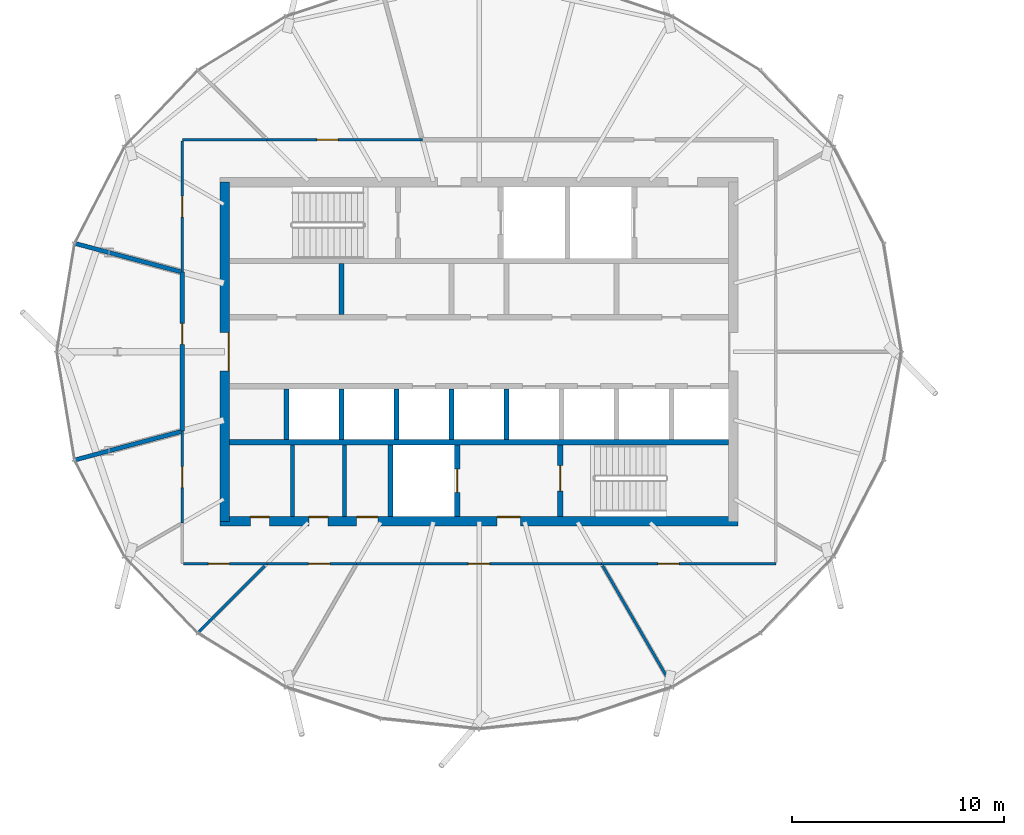
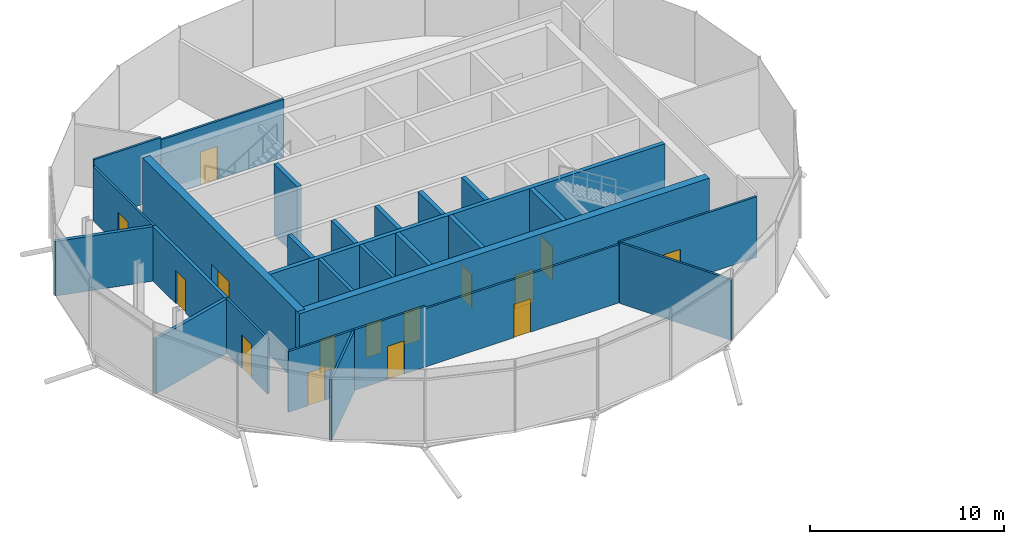
# One storey, part 16 of 31: 27 walls, 15 doors, 15 openings.
"""IFC4 building model written with IfcOpenShell, lengths in metres."""

import ifcopenshell
import ifcopenshell.guid

model = None  # the IFC model being written
_history = None  # IfcOwnerHistory: only IFC2X3 demands one
_inside = {}  # id of a spatial element -> (the spatial element, [elements in it])
_under = {}  # id of a project, library or spatial element -> (it, [spatial elements below it])
_declared = {}  # id of a project -> (the project, [libraries it declares])
_typed = {}  # id of a type object -> (the type object, [elements of that type])
_made_of = {}  # id of a material, layer set ... -> (it, [elements and type objects made of it])


def new_model(schema):
    """Start an empty IFC model of exactly this schema.

    Asked for "IFC4X3", IfcOpenShell would pick the latest addendum, in which some entities
    have other attributes; the version numbers below select the first issue.
    IFC2X3 requires an IfcOwnerHistory on every rooted entity: one is made here for all.
    """
    global model, _history
    if schema == "IFC4X3":
        model = ifcopenshell.file(schema_version=(4, 3, 0, 0))
    else:
        model = ifcopenshell.file(schema=schema)
    _inside.clear()
    _under.clear()
    _declared.clear()
    _typed.clear()
    _made_of.clear()
    _history = None
    if model.schema == "IFC2X3":
        org = make("IfcOrganization", Name="unknown")
        user = make(
            "IfcPersonAndOrganization",
            ThePerson=make("IfcPerson", FamilyName="unknown"),
            TheOrganization=org,
        )
        app = make(
            "IfcApplication",
            ApplicationDeveloper=org,
            Version="unknown",
            ApplicationFullName="unknown",
            ApplicationIdentifier="unknown",
        )
        _history = make(
            "IfcOwnerHistory",
            OwningUser=user,
            OwningApplication=app,
            ChangeAction="ADDED",
            CreationDate=0,
        )
    return model


def make(cls, **values):
    """One entity of the class cls with the attributes given. An attribute that is None is left unset."""
    return model.create_entity(
        cls, **{name: value for name, value in values.items() if value is not None}
    )


def rooted(cls, **values):
    """An entity with a GlobalId (a new one), such as an element, a storey or a relation."""
    return make(cls, GlobalId=ifcopenshell.guid.new(), OwnerHistory=_history, **values)


def si_unit(unit_type, name, prefix=None):
    """IfcSIUnit, for example si_unit("LENGTHUNIT", "METRE", prefix="MILLI")."""
    return make("IfcSIUnit", UnitType=unit_type, Prefix=prefix, Name=name)


def assignment(units):
    """IfcUnitAssignment: the units of a project."""
    return None if units is None else make("IfcUnitAssignment", Units=units)


def point(xyz):
    """IfcCartesianPoint."""
    return None if xyz is None else make("IfcCartesianPoint", Coordinates=xyz)


def direction(xyz):
    """IfcDirection."""
    return None if xyz is None else make("IfcDirection", DirectionRatios=xyz)


def frame(location, z_axis=None, x_axis=None):
    """IfcAxis2Placement3D, a coordinate frame: its origin and axes. An axis left out is left unset."""
    return make(
        "IfcAxis2Placement3D",
        Location=point(location),
        Axis=direction(z_axis),
        RefDirection=direction(x_axis),
    )


def frame_2d(location, x_axis=None):
    """IfcAxis2Placement2D, a coordinate frame in the plane: its origin and x axis."""
    return make(
        "IfcAxis2Placement2D", Location=point(location), RefDirection=direction(x_axis)
    )


def origin():
    """The frame at (0, 0, 0) with its axes left unset."""
    return frame((0.0, 0.0, 0.0))


def place(relative_to, where):
    """IfcLocalPlacement: puts the frame where relative to a parent placement (None: the world)."""
    return make(
        "IfcLocalPlacement", PlacementRelTo=relative_to, RelativePlacement=where
    )


def context(
    kind, dimensions, precision=None, world=None, true_north=None, identifier=None
):
    """IfcGeometricRepresentationContext, for example the 3D "Model" context."""
    return make(
        "IfcGeometricRepresentationContext",
        ContextIdentifier=identifier,
        ContextType=kind,
        CoordinateSpaceDimension=dimensions,
        Precision=precision,
        WorldCoordinateSystem=world,
        TrueNorth=true_north,
    )


def subcontext(parent, identifier, kind, view, scale=None):
    """IfcGeometricRepresentationSubContext, for example "Body" below "Model"."""
    return make(
        "IfcGeometricRepresentationSubContext",
        ContextIdentifier=identifier,
        ContextType=kind,
        ParentContext=parent,
        TargetScale=scale,
        TargetView=view,
    )


def project(units=None, contexts=None):
    """IfcProject with its units and contexts."""
    return rooted(
        "IfcProject",
        Name="project",
        RepresentationContexts=contexts,
        UnitsInContext=assignment(units),
    )


def spatial(cls, under=None, at=None, **own):
    """A site, building, storey or space (cls), placed at a placement, below another one or the project."""
    s = rooted(cls, ObjectPlacement=at, **own)
    if under is not None:
        _under.setdefault(under.id(), (under, []))[1].append(s)
    return s


def profile(cls, at=None, kind="AREA", **sizes):
    """A parametric profile (cls). Its sizes go by their IFC names, for example OverallWidth=200.0."""
    return make(cls, ProfileType=kind, Position=at, **sizes)


def rectangle(**sizes):
    """IfcRectangleProfileDef."""
    return profile("IfcRectangleProfileDef", **sizes)


def extrude(swept, where, along, depth):
    """IfcExtrudedAreaSolid: the profile swept, set in the frame where, extruded along a direction by depth."""
    return make(
        "IfcExtrudedAreaSolid",
        SweptArea=swept,
        Position=where,
        ExtrudedDirection=direction(along),
        Depth=depth,
    )


def shape(context_of_items, identifier, shape_type, items):
    """IfcShapeRepresentation: the items that make up one representation, for example the "Body"."""
    return make(
        "IfcShapeRepresentation",
        ContextOfItems=context_of_items,
        RepresentationIdentifier=identifier,
        RepresentationType=shape_type,
        Items=items,
    )


def material(Name=None, Category=None):
    """IfcMaterial."""
    return make("IfcMaterial", Name=Name, Category=Category)


def layer(
    of_material, thickness, ventilated=None, Name=None, Category=None, Priority=None
):
    """IfcMaterialLayer: one layer of a wall or slab, of a material (None: an air gap)."""
    return make(
        "IfcMaterialLayer",
        Material=of_material,
        LayerThickness=thickness,
        IsVentilated=ventilated,
        Name=Name,
        Category=Category,
        Priority=Priority,
    )


def layer_set(layers, Name=None):
    """IfcMaterialLayerSet."""
    return make("IfcMaterialLayerSet", MaterialLayers=layers, LayerSetName=Name)


def made_of(thing, what):
    """Note that an element or type object is made of a material, layer set ...; save() writes the relation."""
    if what is not None:
        _made_of.setdefault(what.id(), (what, []))[1].append(thing)
    return thing


def type_object(cls, material=None, **own):
    """A type object (cls), such as IfcWallType, which elements share."""
    return made_of(rooted(cls, **own), material)


def element(
    cls,
    number,
    at=None,
    inside=None,
    cuts=None,
    type_object=None,
    material=None,
    context=None,
    identifier="Body",
    shape_type=None,
    held_by="IfcProductDefinitionShape",
    body=None,
    shapes=None,
    **own,
):
    """One element of the class cls, such as IfcWall. Its Tag is "e" and its number.

    at: its placement. inside: the storey or other place that contains it. cuts: it is an
    opening in that element (IfcRelVoidsElement). A single representation is given by context,
    identifier, shape_type and body (its items); several are given by shapes. held_by: the class
    of the entity that holds the representations. save() writes the other relations.
    """
    e = rooted(cls, Tag="e%d" % number, ObjectPlacement=at, **own)
    if body is not None:
        shapes = [shape(context, identifier, shape_type, body)]
    if shapes is not None:
        e.Representation = make(held_by, Representations=shapes)
    if inside is not None:
        _inside.setdefault(inside.id(), (inside, []))[1].append(e)
    if cuts is not None:
        rooted(
            "IfcRelVoidsElement", RelatingBuildingElement=cuts, RelatedOpeningElement=e
        )
    if type_object is not None:
        _typed.setdefault(type_object.id(), (type_object, []))[1].append(e)
    return made_of(e, material)


def fill(opening, filler):
    """IfcRelFillsElement: the door or window that sits in an opening."""
    return rooted(
        "IfcRelFillsElement",
        RelatingOpeningElement=opening,
        RelatedBuildingElement=filler,
    )


def aggregate(whole, parts):
    """IfcRelAggregates: a whole, such as a stair, and the parts it consists of."""
    return rooted("IfcRelAggregates", RelatingObject=whole, RelatedObjects=parts)


def save(model, path):
    """Write the relations noted so far, then the file.

    IfcRelAggregates (storeys below a building ...), IfcRelContainedInSpatialStructure (elements
    in a storey), IfcRelDefinesByType, IfcRelAssociatesMaterial and IfcRelDeclares: one each for
    every whole, place, type object, material and project.
    """
    for whole, parts in _under.values():
        aggregate(whole, parts)
    for where, things in _inside.values():
        rooted(
            "IfcRelContainedInSpatialStructure",
            RelatedElements=things,
            RelatingStructure=where,
        )
    for kind, things in _typed.values():
        rooted("IfcRelDefinesByType", RelatedObjects=things, RelatingType=kind)
    for what, things in _made_of.values():
        rooted("IfcRelAssociatesMaterial", RelatedObjects=things, RelatingMaterial=what)
    for by, libraries in _declared.values():
        rooted("IfcRelDeclares", RelatingContext=by, RelatedDefinitions=libraries)
    model.write(path)


model = new_model("IFC4")

# Units and contexts
model_context = context("Model", 3, precision=1e-05, world=origin(), true_north=direction((0.0, 1.0)))
body_context = subcontext(model_context, "Body", "Model", "MODEL_VIEW")
ifc_project = project(units=[si_unit("LENGTHUNIT", "METRE"), si_unit("AREAUNIT", "SQUARE_METRE"), si_unit("VOLUMEUNIT", "CUBIC_METRE"), si_unit("PLANEANGLEUNIT", "RADIAN"), si_unit("MASSUNIT", "GRAM", prefix="KILO")], contexts=[model_context])

# Site, building, storey
site_placement = place(None, origin())
site = spatial("IfcSite", under=ifc_project, at=site_placement, CompositionType="ELEMENT")
building_placement = place(site_placement, origin())
building = spatial("IfcBuilding", under=site, at=building_placement, Name="Rimbun Link Towers", CompositionType="ELEMENT")
storey_placement = place(building_placement, frame((0.0, 0.0, 263.10009765625)))
storey = spatial("IfcBuildingStorey", under=building, at=storey_placement, Name="L64", CompositionType="ELEMENT", Elevation=263.10009765625)

# Walls
ifc_material_1 = material(Name="Masonry blockwork", Category="masonry")
ifc_layer_1 = layer(ifc_material_1, 0.199951171875)
ifc_layer_set_1 = layer_set([ifc_layer_1], Name="Core partition 200")
wall_type_1 = type_object("IfcWallType", Name="Core partition 200", PredefinedType="PARTITIONING", material=ifc_layer_set_1)
for number, where, z_axis, x_axis, name in (
    (1, (-40.550048828125, -4.39990234375, 0.0), (0.0, 0.0, 1.0), (0.0, -1.0, 0.0), "L64 T1 core wall C1"),
    (2, (-38.10009765625, -4.39990234375, 0.0), (0.0, 0.0, 1.0), (0.0, -1.0, 0.0), "L64 T1 core wall C2"),
):
    element("IfcWall", number, at=place(storey_placement, frame(where, z_axis=z_axis, x_axis=x_axis)), inside=storey, type_object=wall_type_1, Name=name, PredefinedType="PARTITIONING", context=body_context, shape_type="SweptSolid", body=[
        extrude(rectangle(XDim=3.375, YDim=0.199951171875, at=frame_2d((1.6875, 0.0))), origin(), (0.0, 0.0, 1.0), 4.5),
    ])

# Wall, openings, doors
ifc_material_2 = material(Name="Concrete C60/75", Category="concrete")
ifc_layer_2 = layer(ifc_material_2, 0.449951171875)
ifc_layer_set_2 = layer_set([ifc_layer_2], Name="Core shear wall 450")
wall_type_2 = type_object("IfcWallType", Name="Core shear wall 450", PredefinedType="SHEAR", material=ifc_layer_set_2)
wall_1_placement = place(storey_placement, frame((-43.97509765625, -8.0, 0.0), z_axis=(0.0, 0.0, 1.0), x_axis=(1.0, 0.0, 0.0)))
wall_1 = element("IfcWall", 3, at=wall_1_placement, inside=storey, type_object=wall_type_2, Name="L64 T1 core wall S", PredefinedType="SHEAR", context=body_context, shape_type="SweptSolid", body=[
    extrude(rectangle(XDim=24.4501953125, YDim=0.449951171875, at=frame_2d((12.22509765625, 0.0))), origin(), (0.0, 0.0, 1.0), 4.5),
])
opening_1_placement = place(wall_1_placement, frame((13.074951171875, 0.0, 0.0)))
opening_1 = element("IfcOpeningElement", 4, at=opening_1_placement, cuts=wall_1, Name="Opening C1DCF01S", PredefinedType="OPENING", context=body_context, shape_type="SweptSolid", body=[
    extrude(rectangle(XDim=1.10009765625, YDim=2.10009765625, at=frame_2d((0.550048828125, 1.050048828125))), frame((0.0, 0.23486328125, 0.0), z_axis=(0.0, -1.0, 0.0), x_axis=(1.0, 0.0, 0.0)), (0.0, 0.0, 1.0), 0.469970703125),
])
opening_2_placement = place(wall_1_placement, frame((1.4375, 0.0, 0.0)))
opening_2 = element("IfcOpeningElement", 5, at=opening_2_placement, cuts=wall_1, Name="Opening C1DWC02S", PredefinedType="OPENING", context=body_context, shape_type="SweptSolid", body=[
    extrude(rectangle(XDim=0.89990234375, YDim=2.10009765625, at=frame_2d((0.449951171875, 1.050048828125))), frame((0.0, 0.23486328125, 0.0), z_axis=(0.0, -1.0, 0.0), x_axis=(1.0, 0.0, 0.0)), (0.0, 0.0, 1.0), 0.469970703125),
])
opening_3_placement = place(wall_1_placement, frame((4.199951171875, 0.0, 0.0)))
opening_3 = element("IfcOpeningElement", 6, at=opening_3_placement, cuts=wall_1, Name="Opening C1DWC03S", PredefinedType="OPENING", context=body_context, shape_type="SweptSolid", body=[
    extrude(rectangle(XDim=0.89990234375, YDim=2.10009765625, at=frame_2d((0.449951171875, 1.050048828125))), frame((0.0, 0.23486328125, 0.0), z_axis=(0.0, -1.0, 0.0), x_axis=(1.0, 0.0, 0.0)), (0.0, 0.0, 1.0), 0.469970703125),
])
opening_4_placement = place(wall_1_placement, frame((6.449951171875, 0.0, 0.0)))
opening_4 = element("IfcOpeningElement", 7, at=opening_4_placement, cuts=wall_1, Name="Opening C1DAW04S", PredefinedType="OPENING", context=body_context, shape_type="SweptSolid", body=[
    extrude(rectangle(XDim=1.0, YDim=2.10009765625, at=frame_2d((0.5, 1.050048828125))), frame((0.0, 0.23486328125, 0.0), z_axis=(0.0, -1.0, 0.0), x_axis=(1.0, 0.0, 0.0)), (0.0, 0.0, 1.0), 0.469970703125),
])
ifc_material_3 = material(Name="Timber", Category="wood")
door_type_1 = type_object("IfcDoorType", Name="Accessible WC door", OperationType="SINGLE_SWING_LEFT", PredefinedType="DOOR", material=ifc_material_3)
door_1_placement = place(opening_4_placement, origin())
door_1 = element("IfcDoor", 8, at=door_1_placement, inside=storey, type_object=door_type_1, Name="L64 T1 accessible wc door", OperationType="SINGLE_SWING_RIGHT", OverallHeight=2.10009765625, OverallWidth=1.0, PredefinedType="DOOR", context=body_context, shape_type="SweptSolid", body=[
    extrude(rectangle(XDim=1.0, YDim=2.10009765625, at=frame_2d((0.5, 1.050048828125))), frame((0.0, 0.22509765625, 0.0), z_axis=(0.0, -1.0, 0.0), x_axis=(1.0, 0.0, 0.0)), (0.0, 0.0, 1.0), 0.050048828125),
])
fill(opening_4, door_1)
ifc_material_4 = material(Name="Steel fire door set", Category="steel")
door_type_2 = type_object("IfcDoorType", Name="Core fire door single", OperationType="SINGLE_SWING_LEFT", PredefinedType="DOOR", material=ifc_material_4)
door_2_placement = place(opening_1_placement, origin())
door_2 = element("IfcDoor", 9, at=door_2_placement, inside=storey, type_object=door_type_2, Name="L64 T1 firefighting lobby s door", OperationType="SINGLE_SWING_RIGHT", OverallHeight=2.10009765625, OverallWidth=1.10009765625, PredefinedType="DOOR", context=body_context, shape_type="SweptSolid", body=[
    extrude(rectangle(XDim=1.10009765625, YDim=2.10009765625, at=frame_2d((0.550048828125, 1.050048828125))), frame((0.0, 0.22509765625, 0.0), z_axis=(0.0, -1.0, 0.0), x_axis=(1.0, 0.0, 0.0)), (0.0, 0.0, 1.0), 0.050048828125),
])
fill(opening_1, door_2)
ifc_material_5 = material(Name="Timber", Category="wood")
door_type_3 = type_object("IfcDoorType", Name="WC door", OperationType="SINGLE_SWING_LEFT", PredefinedType="DOOR", material=ifc_material_5)
door_3_placement = place(opening_2_placement, origin())
door_3 = element("IfcDoor", 10, at=door_3_placement, inside=storey, type_object=door_type_3, Name="L64 T1 male wc door", OperationType="SINGLE_SWING_LEFT", OverallHeight=2.10009765625, OverallWidth=0.89990234375, PredefinedType="DOOR", context=body_context, shape_type="SweptSolid", body=[
    extrude(rectangle(XDim=0.89990234375, YDim=2.10009765625, at=frame_2d((0.449951171875, 1.050048828125))), frame((0.0, 0.22509765625, 0.0), z_axis=(0.0, -1.0, 0.0), x_axis=(1.0, 0.0, 0.0)), (0.0, 0.0, 1.0), 0.050048828125),
])
fill(opening_2, door_3)
door_4_placement = place(opening_3_placement, origin())
door_4 = element("IfcDoor", 11, at=door_4_placement, inside=storey, type_object=door_type_3, Name="L64 T1 female wc door", OperationType="SINGLE_SWING_RIGHT", OverallHeight=2.10009765625, OverallWidth=0.89990234375, PredefinedType="DOOR", context=body_context, shape_type="SweptSolid", body=[
    extrude(rectangle(XDim=0.89990234375, YDim=2.10009765625, at=frame_2d((0.449951171875, 1.050048828125))), frame((0.0, 0.22509765625, 0.0), z_axis=(0.0, -1.0, 0.0), x_axis=(1.0, 0.0, 0.0)), (0.0, 0.0, 1.0), 0.050048828125),
])
fill(opening_3, door_4)

# Wall, opening, door
wall_2_placement = place(storey_placement, frame((-43.75, -8.0, 0.0), z_axis=(0.0, 0.0, 1.0), x_axis=(0.0, 1.0, 0.0)))
wall_2 = element("IfcWall", 12, at=wall_2_placement, inside=storey, type_object=wall_type_2, Name="L64 T1 core wall W", PredefinedType="SHEAR", context=body_context, shape_type="SweptSolid", body=[
    extrude(rectangle(XDim=16.0, YDim=0.449951171875, at=frame_2d((8.0, 0.0))), origin(), (0.0, 0.0, 1.0), 4.5),
])
opening_5_placement = place(wall_2_placement, frame((7.10009765625, 0.0, 0.0)))
opening_5 = element("IfcOpeningElement", 13, at=opening_5_placement, cuts=wall_2, Name="Opening C1DCL01W", PredefinedType="OPENING", context=body_context, shape_type="SweptSolid", body=[
    extrude(rectangle(XDim=1.800048828125, YDim=2.10009765625, at=frame_2d((0.89990234375, 1.050048828125))), frame((0.0, 0.23486328125, 0.0), z_axis=(0.0, -1.0, 0.0), x_axis=(1.0, 0.0, 0.0)), (0.0, 0.0, 1.0), 0.469970703125),
])
ifc_material_6 = material(Name="Steel fire door set", Category="steel")
door_type_4 = type_object("IfcDoorType", Name="Core lobby door double", OperationType="DOUBLE_DOOR_SINGLE_SWING", PredefinedType="DOOR", material=ifc_material_6)
door_5_placement = place(opening_5_placement, origin())
door_5 = element("IfcDoor", 14, at=door_5_placement, inside=storey, type_object=door_type_4, Name="L64 T1 lift lobby door", OperationType="DOUBLE_DOOR_SINGLE_SWING", OverallHeight=2.10009765625, OverallWidth=1.800048828125, PredefinedType="DOOR", context=body_context, shape_type="SweptSolid", body=[
    extrude(rectangle(XDim=1.800048828125, YDim=2.10009765625, at=frame_2d((0.89990234375, 1.050048828125))), frame((0.0, -0.1748046875, 0.0), z_axis=(0.0, -1.0, 0.0), x_axis=(1.0, 0.0, 0.0)), (0.0, 0.0, 1.0), 0.050048828125),
])
fill(opening_5, door_5)

ifc_material_7 = material(Name="Concrete blockwork", Category="masonry")
ifc_layer_3 = layer(ifc_material_7, 0.199951171875)
ifc_layer_set_3 = layer_set([ifc_layer_3], Name="Fire partition 200 blockwork")
wall_type_3 = type_object("IfcWallType", Name="Fire partition 200 blockwork", PredefinedType="PARTITIONING", material=ifc_layer_set_3)
wall_3_placement = place(storey_placement, frame((-45.75, 3.751220703125, 0.0), z_axis=(0.0, 0.0, 1.0), x_axis=(0.0, -1.0, 0.0)))
wall_3 = element("IfcWall", 15, at=wall_3_placement, inside=storey, type_object=wall_type_3, Name="TW/PW/L64/015", PredefinedType="PARTITIONING", context=body_context, shape_type="SweptSolid", body=[
    extrude(rectangle(XDim=7.50244140625, YDim=0.199951171875, at=frame_2d((3.751220703125, 0.0))), origin(), (0.0, 0.0, 1.0), 3.43896484375),
])
opening_6_placement = place(wall_3_placement, frame((2.410888671875, 0.0, 0.0)))
opening_6 = element("IfcOpeningElement", 16, at=opening_6_placement, cuts=wall_3, Name="Opening TW D64.11", PredefinedType="OPENING", context=body_context, shape_type="SweptSolid", body=[
    extrude(rectangle(XDim=1.0, YDim=2.10009765625, at=frame_2d((0.5, 1.050048828125))), frame((0.0, 0.10986328125, 0.0), z_axis=(0.0, -1.0, 0.0), x_axis=(1.0, 0.0, 0.0)), (0.0, 0.0, 1.0), 0.219970703125),
])
ifc_material_8 = material(Name="Steel fire door set", Category="steel")
door_type_5 = type_object("IfcDoorType", Name="Fire door single leaf 1000 x 2100", OperationType="NOTDEFINED", PredefinedType="DOOR", material=ifc_material_8)
door_6_placement = place(opening_6_placement, origin())
door_6 = element("IfcDoor", 17, at=door_6_placement, inside=storey, type_object=door_type_5, Name="TW/DR/L64/011", OperationType="SINGLE_SWING_RIGHT", OverallHeight=2.10009765625, OverallWidth=1.0, PredefinedType="DOOR", context=body_context, shape_type="SweptSolid", body=[
    extrude(rectangle(XDim=1.0, YDim=2.10009765625, at=frame_2d((0.5, 1.050048828125))), frame((0.0, 0.02490234375, 0.0), z_axis=(0.0, -1.0, 0.0), x_axis=(1.0, 0.0, 0.0)), (0.0, 0.0, 1.0), 0.050048828125),
])
fill(opening_6, door_6)

# Walls
wall_4_placement = place(storey_placement, frame((-45.83837890625, -3.77490234375, 0.0), z_axis=(0.0, 0.0, 1.0), x_axis=(-0.965919870225, -0.258841272413, 0.0)))
element("IfcWall", 18, at=wall_4_placement, inside=storey, type_object=wall_type_3, Name="TW/PW/L64/017", PredefinedType="PARTITIONING", context=body_context, shape_type="SweptSolid", body=[
    extrude(rectangle(XDim=5.143310546875, YDim=0.199951171875, at=frame_2d((2.57177734375, 0.0))), origin(), (0.0, 0.0, 1.0), 3.43896484375),
])
wall_5_placement = place(storey_placement, frame((-50.8837890625, 5.126953125, 0.0), z_axis=(0.0, 0.0, 1.0), x_axis=(0.965919259199, -0.258843552572, 0.0)))
element("IfcWall", 19, at=wall_5_placement, inside=storey, type_object=wall_type_3, Name="TW/PW/L64/026", PredefinedType="PARTITIONING", context=body_context, shape_type="SweptSolid", body=[
    extrude(rectangle(XDim=5.223388671875, YDim=0.199951171875, at=frame_2d((2.61181640625, 0.0))), origin(), (0.0, 0.0, 1.0), 3.43896484375),
])

# Wall, opening, door
ifc_material_9 = material(Name="Gypsum board on steel studs", Category="steel")
ifc_layer_4 = layer(ifc_material_9, 0.125)
ifc_layer_set_4 = layer_set([ifc_layer_4], Name="Partition 125 board on studs")
wall_type_4 = type_object("IfcWallType", Name="Partition 125 board on studs", PredefinedType="PARTITIONING", material=ifc_layer_set_4)
wall_6_placement = place(storey_placement, frame((-45.75, -3.751220703125, 0.0), z_axis=(0.0, 0.0, 1.0), x_axis=(0.0, -1.0, 0.0)))
wall_6 = element("IfcWall", 20, at=wall_6_placement, inside=storey, type_object=wall_type_4, Name="TW/PW/L64/001", PredefinedType="PARTITIONING", context=body_context, shape_type="SweptSolid", body=[
    extrude(rectangle(XDim=4.331787109375, YDim=0.125, at=frame_2d((2.166015625, 0.0))), origin(), (0.0, 0.0, 1.0), 3.43896484375),
])
opening_7_placement = place(wall_6_placement, frame((1.666015625, 0.0, 0.0)))
opening_7 = element("IfcOpeningElement", 21, at=opening_7_placement, cuts=wall_6, Name="Opening TW D64.01", PredefinedType="OPENING", context=body_context, shape_type="SweptSolid", body=[
    extrude(rectangle(XDim=1.0, YDim=2.10009765625, at=frame_2d((0.5, 1.050048828125))), frame((0.0, 0.072509765625, 0.0), z_axis=(0.0, -1.0, 0.0), x_axis=(1.0, 0.0, 0.0)), (0.0, 0.0, 1.0), 0.14501953125),
])
ifc_material_10 = material(Name="Timber door set", Category="wood")
door_type_6 = type_object("IfcDoorType", Name="Door single leaf 1000 x 2100", OperationType="NOTDEFINED", PredefinedType="DOOR", material=ifc_material_10)
door_7_placement = place(opening_7_placement, origin())
door_7 = element("IfcDoor", 22, at=door_7_placement, inside=storey, type_object=door_type_6, Name="TW/DR/L64/001", OperationType="SINGLE_SWING_RIGHT", OverallHeight=2.10009765625, OverallWidth=1.0, PredefinedType="DOOR", context=body_context, shape_type="SweptSolid", body=[
    extrude(rectangle(XDim=1.0, YDim=2.10009765625, at=frame_2d((0.5, 1.050048828125))), frame((0.0, 0.02490234375, 0.0), z_axis=(0.0, -1.0, 0.0), x_axis=(1.0, 0.0, 0.0)), (0.0, 0.0, 1.0), 0.050048828125),
])
fill(opening_7, door_7)

wall_7_placement = place(storey_placement, frame((-45.6875, -10.0, 0.0), z_axis=(0.0, 0.0, 1.0), x_axis=(1.0, 0.0, 0.0)))
wall_7 = element("IfcWall", 23, at=wall_7_placement, inside=storey, type_object=wall_type_4, Name="TW/PW/L64/003", PredefinedType="PARTITIONING", context=body_context, shape_type="SweptSolid", body=[
    extrude(rectangle(XDim=3.9375, YDim=0.125, at=frame_2d((1.96875, 0.0))), origin(), (0.0, 0.0, 1.0), 3.826904296875),
])
opening_8_placement = place(wall_7_placement, frame((1.1630859375, 0.0, 0.0)))
opening_8 = element("IfcOpeningElement", 24, at=opening_8_placement, cuts=wall_7, Name="Opening TW D64.02", PredefinedType="OPENING", context=body_context, shape_type="SweptSolid", body=[
    extrude(rectangle(XDim=1.0, YDim=2.10009765625, at=frame_2d((0.5, 1.050048828125))), frame((0.0, 0.072509765625, 0.0), z_axis=(0.0, -1.0, 0.0), x_axis=(1.0, 0.0, 0.0)), (0.0, 0.0, 1.0), 0.14501953125),
])
door_8_placement = place(opening_8_placement, origin())
door_8 = element("IfcDoor", 25, at=door_8_placement, inside=storey, type_object=door_type_6, Name="TW/DR/L64/002", OperationType="SINGLE_SWING_LEFT", OverallHeight=2.10009765625, OverallWidth=1.0, PredefinedType="DOOR", context=body_context, shape_type="SweptSolid", body=[
    extrude(rectangle(XDim=1.0, YDim=2.10009765625, at=frame_2d((0.5, 1.050048828125))), frame((0.0, 0.02490234375, 0.0), z_axis=(0.0, -1.0, 0.0), x_axis=(1.0, 0.0, 0.0)), (0.0, 0.0, 1.0), 0.050048828125),
])
fill(opening_8, door_8)

wall_8_placement = place(storey_placement, frame((-41.75, -10.0, 0.0), z_axis=(0.0, 0.0, 1.0), x_axis=(1.0, 0.0, 0.0)))
wall_8 = element("IfcWall", 26, at=wall_8_placement, inside=storey, type_object=wall_type_4, Name="TW/PW/L64/004", PredefinedType="PARTITIONING", context=body_context, shape_type="SweptSolid", body=[
    extrude(rectangle(XDim=4.2265625, YDim=0.125, at=frame_2d((2.11328125, 0.0))), origin(), (0.0, 0.0, 1.0), 3.826904296875),
])
opening_9_placement = place(wall_8_placement, frame((1.9619140625, 0.0, 0.0)))
opening_9 = element("IfcOpeningElement", 27, at=opening_9_placement, cuts=wall_8, Name="Opening TW D64.03", PredefinedType="OPENING", context=body_context, shape_type="SweptSolid", body=[
    extrude(rectangle(XDim=1.0, YDim=2.10009765625, at=frame_2d((0.5, 1.050048828125))), frame((0.0, 0.072509765625, 0.0), z_axis=(0.0, -1.0, 0.0), x_axis=(1.0, 0.0, 0.0)), (0.0, 0.0, 1.0), 0.14501953125),
])
door_9_placement = place(opening_9_placement, origin())
door_9 = element("IfcDoor", 28, at=door_9_placement, inside=storey, type_object=door_type_6, Name="TW/DR/L64/003", OperationType="SINGLE_SWING_RIGHT", OverallHeight=2.10009765625, OverallWidth=1.0, PredefinedType="DOOR", context=body_context, shape_type="SweptSolid", body=[
    extrude(rectangle(XDim=1.0, YDim=2.10009765625, at=frame_2d((0.5, 1.050048828125))), frame((0.0, 0.02490234375, 0.0), z_axis=(0.0, -1.0, 0.0), x_axis=(1.0, 0.0, 0.0)), (0.0, 0.0, 1.0), 0.050048828125),
])
fill(opening_9, door_9)

wall_9_placement = place(storey_placement, frame((-37.5234375, -10.0, 0.0), z_axis=(0.0, 0.0, 1.0), x_axis=(1.0, 0.0, 0.0)))
wall_9 = element("IfcWall", 29, at=wall_9_placement, inside=storey, type_object=wall_type_4, Name="TW/PW/L64/005", PredefinedType="PARTITIONING", context=body_context, shape_type="SweptSolid", body=[
    extrude(rectangle(XDim=11.546875, YDim=0.125, at=frame_2d((5.7734375, 0.0))), origin(), (0.0, 0.0, 1.0), 3.677001953125),
])
opening_10_placement = place(wall_9_placement, frame((5.27392578125, 0.0, 0.0)))
opening_10 = element("IfcOpeningElement", 30, at=opening_10_placement, cuts=wall_9, Name="Opening TW D64.04", PredefinedType="OPENING", context=body_context, shape_type="SweptSolid", body=[
    extrude(rectangle(XDim=1.0, YDim=2.10009765625, at=frame_2d((0.5, 1.050048828125))), frame((0.0, 0.072509765625, 0.0), z_axis=(0.0, -1.0, 0.0), x_axis=(1.0, 0.0, 0.0)), (0.0, 0.0, 1.0), 0.14501953125),
])
door_10_placement = place(opening_10_placement, origin())
door_10 = element("IfcDoor", 31, at=door_10_placement, inside=storey, type_object=door_type_6, Name="TW/DR/L64/004", OperationType="SINGLE_SWING_LEFT", OverallHeight=2.10009765625, OverallWidth=1.0, PredefinedType="DOOR", context=body_context, shape_type="SweptSolid", body=[
    extrude(rectangle(XDim=1.0, YDim=2.10009765625, at=frame_2d((0.5, 1.050048828125))), frame((0.0, 0.02490234375, 0.0), z_axis=(0.0, -1.0, 0.0), x_axis=(1.0, 0.0, 0.0)), (0.0, 0.0, 1.0), 0.050048828125),
])
fill(opening_10, door_10)

wall_10_placement = place(storey_placement, frame((-25.9765625, -10.0, 0.0), z_axis=(0.0, 0.0, 1.0), x_axis=(1.0, 0.0, 0.0)))
wall_10 = element("IfcWall", 32, at=wall_10_placement, inside=storey, type_object=wall_type_4, Name="TW/PW/L64/006", PredefinedType="PARTITIONING", context=body_context, shape_type="SweptSolid", body=[
    extrude(rectangle(XDim=8.2265625, YDim=0.125, at=frame_2d((4.11328125, 0.0))), origin(), (0.0, 0.0, 1.0), 3.826904296875),
])
opening_11_placement = place(wall_10_placement, frame((2.6640625, 0.0, 0.0)))
opening_11 = element("IfcOpeningElement", 33, at=opening_11_placement, cuts=wall_10, Name="Opening TW D64.05", PredefinedType="OPENING", context=body_context, shape_type="SweptSolid", body=[
    extrude(rectangle(XDim=1.0, YDim=2.10009765625, at=frame_2d((0.5, 1.050048828125))), frame((0.0, 0.072509765625, 0.0), z_axis=(0.0, -1.0, 0.0), x_axis=(1.0, 0.0, 0.0)), (0.0, 0.0, 1.0), 0.14501953125),
])
door_11_placement = place(opening_11_placement, origin())
door_11 = element("IfcDoor", 34, at=door_11_placement, inside=storey, type_object=door_type_6, Name="TW/DR/L64/005", OperationType="SINGLE_SWING_RIGHT", OverallHeight=2.10009765625, OverallWidth=1.0, PredefinedType="DOOR", context=body_context, shape_type="SweptSolid", body=[
    extrude(rectangle(XDim=1.0, YDim=2.10009765625, at=frame_2d((0.5, 1.050048828125))), frame((0.0, 0.02490234375, 0.0), z_axis=(0.0, -1.0, 0.0), x_axis=(1.0, 0.0, 0.0)), (0.0, 0.0, 1.0), 0.050048828125),
])
fill(opening_11, door_11)

wall_11_placement = place(storey_placement, frame((-34.429443359375, 10.0, 0.0), z_axis=(0.0, 0.0, 1.0), x_axis=(-1.0, 0.0, 0.0)))
wall_11 = element("IfcWall", 35, at=wall_11_placement, inside=storey, type_object=wall_type_4, Name="TW/PW/L64/012", PredefinedType="PARTITIONING", context=body_context, shape_type="SweptSolid", body=[
    extrude(rectangle(XDim=7.320556640625, YDim=0.125, at=frame_2d((3.66015625, 0.0))), origin(), (0.0, 0.0, 1.0), 3.677001953125),
])
opening_12_placement = place(wall_11_placement, frame((3.972900390625, 0.0, 0.0)))
opening_12 = element("IfcOpeningElement", 36, at=opening_12_placement, cuts=wall_11, Name="Opening TW D64.09", PredefinedType="OPENING", context=body_context, shape_type="SweptSolid", body=[
    extrude(rectangle(XDim=1.0, YDim=2.10009765625, at=frame_2d((0.5, 1.050048828125))), frame((0.0, 0.072509765625, 0.0), z_axis=(0.0, -1.0, 0.0), x_axis=(1.0, 0.0, 0.0)), (0.0, 0.0, 1.0), 0.14501953125),
])
door_12_placement = place(opening_12_placement, origin())
door_12 = element("IfcDoor", 37, at=door_12_placement, inside=storey, type_object=door_type_6, Name="TW/DR/L64/009", OperationType="SINGLE_SWING_RIGHT", OverallHeight=2.10009765625, OverallWidth=1.0, PredefinedType="DOOR", context=body_context, shape_type="SweptSolid", body=[
    extrude(rectangle(XDim=1.0, YDim=2.10009765625, at=frame_2d((0.5, 1.050048828125))), frame((0.0, 0.02490234375, 0.0), z_axis=(0.0, -1.0, 0.0), x_axis=(1.0, 0.0, 0.0)), (0.0, 0.0, 1.0), 0.050048828125),
])
fill(opening_12, door_12)

# Wall
wall_12_placement = place(storey_placement, frame((-41.75, 10.0, 0.0), z_axis=(0.0, 0.0, 1.0), x_axis=(-1.0, 0.0, 0.0)))
element("IfcWall", 38, at=wall_12_placement, inside=storey, type_object=wall_type_4, Name="TW/PW/L64/013", PredefinedType="PARTITIONING", context=body_context, shape_type="SweptSolid", body=[
    extrude(rectangle(XDim=4.0, YDim=0.125, at=frame_2d((2.0, 0.0))), origin(), (0.0, 0.0, 1.0), 3.826904296875),
])

# Wall, opening, door
wall_13_placement = place(storey_placement, frame((-45.75, 9.9375, 0.0), z_axis=(0.0, 0.0, 1.0), x_axis=(0.0, -1.0, 0.0)))
wall_13 = element("IfcWall", 39, at=wall_13_placement, inside=storey, type_object=wall_type_4, Name="TW/PW/L64/014", PredefinedType="PARTITIONING", context=body_context, shape_type="SweptSolid", body=[
    extrude(rectangle(XDim=6.186279296875, YDim=0.125, at=frame_2d((3.09326171875, 0.0))), origin(), (0.0, 0.0, 1.0), 3.43896484375),
])
opening_13_placement = place(wall_13_placement, frame((2.593017578125, 0.0, 0.0)))
opening_13 = element("IfcOpeningElement", 40, at=opening_13_placement, cuts=wall_13, Name="Opening TW D64.10", PredefinedType="OPENING", context=body_context, shape_type="SweptSolid", body=[
    extrude(rectangle(XDim=1.0, YDim=2.10009765625, at=frame_2d((0.5, 1.050048828125))), frame((0.0, 0.072509765625, 0.0), z_axis=(0.0, -1.0, 0.0), x_axis=(1.0, 0.0, 0.0)), (0.0, 0.0, 1.0), 0.14501953125),
])
door_13_placement = place(opening_13_placement, origin())
door_13 = element("IfcDoor", 41, at=door_13_placement, inside=storey, type_object=door_type_6, Name="TW/DR/L64/010", OperationType="SINGLE_SWING_LEFT", OverallHeight=2.10009765625, OverallWidth=1.0, PredefinedType="DOOR", context=body_context, shape_type="SweptSolid", body=[
    extrude(rectangle(XDim=1.0, YDim=2.10009765625, at=frame_2d((0.5, 1.050048828125))), frame((0.0, 0.02490234375, 0.0), z_axis=(0.0, -1.0, 0.0), x_axis=(1.0, 0.0, 0.0)), (0.0, 0.0, 1.0), 0.050048828125),
])
fill(opening_13, door_13)

# Walls
wall_14_placement = place(storey_placement, frame((-45.0576171875, -13.3076171875, 0.0), z_axis=(0.0, 0.0, 1.0), x_axis=(0.707106781187, 0.707106781187, 0.0)))
element("IfcWall", 42, at=wall_14_placement, inside=storey, type_object=wall_type_4, Name="TW/PW/L64/018", PredefinedType="PARTITIONING", context=body_context, shape_type="SweptSolid", body=[
    extrude(rectangle(XDim=4.52685546875, YDim=0.125, at=frame_2d((2.263427734375, 0.0))), origin(), (0.0, 0.0, 1.0), 3.826904296875),
])
wall_15_placement = place(storey_placement, frame((-22.59375, -15.859130859375, 0.0), z_axis=(0.0, 0.0, 1.0), x_axis=(-0.499996517727, 0.866027414267, 0.0)))
element("IfcWall", 43, at=wall_15_placement, inside=storey, type_object=wall_type_4, Name="TW/PW/L64/020", PredefinedType="PARTITIONING", context=body_context, shape_type="SweptSolid", body=[
    extrude(rectangle(XDim=6.6572265625, YDim=0.125, at=frame_2d((3.32861328125, 0.0))), origin(), (0.0, 0.0, 1.0), 3.826904296875),
])
ifc_material_11 = material(Name="Concrete C60/75", Category="concrete")
ifc_layer_5 = layer(ifc_material_11, 0.25)
ifc_layer_set_5 = layer_set([ifc_layer_5], Name="Shaft wall 250")
wall_type_5 = type_object("IfcWallType", Name="Shaft wall 250", PredefinedType="SHEAR", material=ifc_layer_set_5)
wall_16_placement = place(storey_placement, frame((-43.52490234375, -4.27490234375, 0.0), z_axis=(0.0, 0.0, 1.0), x_axis=(1.0, 0.0, 0.0)))
element("IfcWall", 44, at=wall_16_placement, inside=storey, type_object=wall_type_5, Name="L64 T1 core wall BS", PredefinedType="SHEAR", context=body_context, shape_type="SweptSolid", body=[
    extrude(rectangle(XDim=23.5498046875, YDim=0.25, at=frame_2d((11.77490234375, 0.0))), origin(), (0.0, 0.0, 1.0), 4.5),
])
for number, where, z_axis, x_axis, name in (
    (45, (-38.236083984375, 1.75, 0.0), (0.0, 0.0, 1.0), (0.0, 1.0, 0.0), "L64 T1 core wall DN1"),
    (46, (-40.83056640625, -4.14990234375, 0.0), (0.0, 0.0, 1.0), (0.0, 1.0, 0.0), "L64 T1 core wall DS0"),
    (47, (-38.236083984375, -4.14990234375, 0.0), (0.0, 0.0, 1.0), (0.0, 1.0, 0.0), "L64 T1 core wall DS1"),
    (48, (-35.6416015625, -4.14990234375, 0.0), (0.0, 0.0, 1.0), (0.0, 1.0, 0.0), "L64 T1 core wall DS2"),
    (49, (-33.047119140625, -4.14990234375, 0.0), (0.0, 0.0, 1.0), (0.0, 1.0, 0.0), "L64 T1 core wall DS3"),
    (50, (-30.452880859375, -4.14990234375, 0.0), (0.0, 0.0, 1.0), (0.0, 1.0, 0.0), "L64 T1 core wall DS4"),
):
    element("IfcWall", number, at=place(storey_placement, frame(where, z_axis=z_axis, x_axis=x_axis)), inside=storey, type_object=wall_type_5, Name=name, PredefinedType="SHEAR", context=body_context, shape_type="SweptSolid", body=[
        extrude(rectangle(XDim=2.39990234375, YDim=0.25, at=frame_2d((1.199951171875, 0.0))), origin(), (0.0, 0.0, 1.0), 4.5),
    ])

# Wall, opening, door
wall_17_placement = place(storey_placement, frame((-27.925048828125, -4.39990234375, 0.0), z_axis=(0.0, 0.0, 1.0), x_axis=(0.0, -1.0, 0.0)))
wall_17 = element("IfcWall", 51, at=wall_17_placement, inside=storey, type_object=wall_type_5, Name="L64 T1 core wall B1", PredefinedType="SHEAR", context=body_context, shape_type="SweptSolid", body=[
    extrude(rectangle(XDim=3.375, YDim=0.25, at=frame_2d((1.6875, 0.0))), origin(), (0.0, 0.0, 1.0), 4.5),
])
opening_14_placement = place(wall_17_placement, frame((0.97509765625, 0.0, 0.0)))
opening_14 = element("IfcOpeningElement", 52, at=opening_14_placement, cuts=wall_17, Name="Opening C1DST01B1", PredefinedType="OPENING", context=body_context, shape_type="SweptSolid", body=[
    extrude(rectangle(XDim=1.199951171875, YDim=2.10009765625, at=frame_2d((0.60009765625, 1.050048828125))), frame((0.0, 0.135009765625, 0.0), z_axis=(0.0, -1.0, 0.0), x_axis=(1.0, 0.0, 0.0)), (0.0, 0.0, 1.0), 0.27001953125),
])
ifc_material_12 = material(Name="Steel fire door set", Category="steel")
door_type_7 = type_object("IfcDoorType", Name="Stair door", OperationType="SINGLE_SWING_LEFT", PredefinedType="DOOR", material=ifc_material_12)
door_14_placement = place(opening_14_placement, origin())
door_14 = element("IfcDoor", 53, at=door_14_placement, inside=storey, type_object=door_type_7, Name="L64 T1 stair b door", OperationType="SINGLE_SWING_RIGHT", OverallHeight=2.10009765625, OverallWidth=1.199951171875, PredefinedType="DOOR", context=body_context, shape_type="SweptSolid", body=[
    extrude(rectangle(XDim=1.199951171875, YDim=2.10009765625, at=frame_2d((0.60009765625, 1.050048828125))), frame((0.0, 0.02490234375, 0.0), z_axis=(0.0, -1.0, 0.0), x_axis=(1.0, 0.0, 0.0)), (0.0, 0.0, 1.0), 0.050048828125),
])
fill(opening_14, door_14)

wall_18_placement = place(storey_placement, frame((-32.77490234375, -4.39990234375, 0.0), z_axis=(0.0, 0.0, 1.0), x_axis=(0.0, -1.0, 0.0)))
wall_18 = element("IfcWall", 54, at=wall_18_placement, inside=storey, type_object=wall_type_5, Name="L64 T1 core wall B2", PredefinedType="SHEAR", context=body_context, shape_type="SweptSolid", body=[
    extrude(rectangle(XDim=3.375, YDim=0.25, at=frame_2d((1.6875, 0.0))), origin(), (0.0, 0.0, 1.0), 4.5),
])
opening_15_placement = place(wall_18_placement, frame((1.137451171875, 0.0, 0.0)))
opening_15 = element("IfcOpeningElement", 55, at=opening_15_placement, cuts=wall_18, Name="Opening LD-T1-FF2", PredefinedType="OPENING", context=body_context, shape_type="SweptSolid", body=[
    extrude(rectangle(XDim=1.10009765625, YDim=2.10009765625, at=frame_2d((0.550048828125, 1.050048828125))), frame((0.0, 0.135009765625, 0.0), z_axis=(0.0, -1.0, 0.0), x_axis=(1.0, 0.0, 0.0)), (0.0, 0.0, 1.0), 0.27001953125),
])
ifc_material_13 = material(Name="Stainless steel grade 316", Category="steel")
door_type_8 = type_object("IfcDoorType", Name="Lift landing door", OperationType="DOUBLE_DOOR_SLIDING", PredefinedType="DOOR", material=ifc_material_13)
door_15_placement = place(opening_15_placement, origin())
door_15 = element("IfcDoor", 56, at=door_15_placement, inside=storey, type_object=door_type_8, Name="L64 T1 lift FF2 landing door", OperationType="DOUBLE_DOOR_SLIDING", OverallHeight=2.10009765625, OverallWidth=1.10009765625, PredefinedType="DOOR", context=body_context, shape_type="SweptSolid", body=[
    extrude(rectangle(XDim=1.10009765625, YDim=2.10009765625, at=frame_2d((0.550048828125, 1.050048828125))), frame((0.0, 0.02490234375, 0.0), z_axis=(0.0, -1.0, 0.0), x_axis=(1.0, 0.0, 0.0)), (0.0, 0.0, 1.0), 0.050048828125),
])
fill(opening_15, door_15)

# Wall
wall_19_placement = place(storey_placement, frame((-35.925048828125, -4.39990234375, 0.0), z_axis=(0.0, 0.0, 1.0), x_axis=(0.0, -1.0, 0.0)))
element("IfcWall", 57, at=wall_19_placement, inside=storey, type_object=wall_type_5, Name="L64 T1 core wall B3", PredefinedType="SHEAR", context=body_context, shape_type="SweptSolid", body=[
    extrude(rectangle(XDim=3.375, YDim=0.25, at=frame_2d((1.6875, 0.0))), origin(), (0.0, 0.0, 1.0), 4.5),
])

save(model, "model.ifc")
